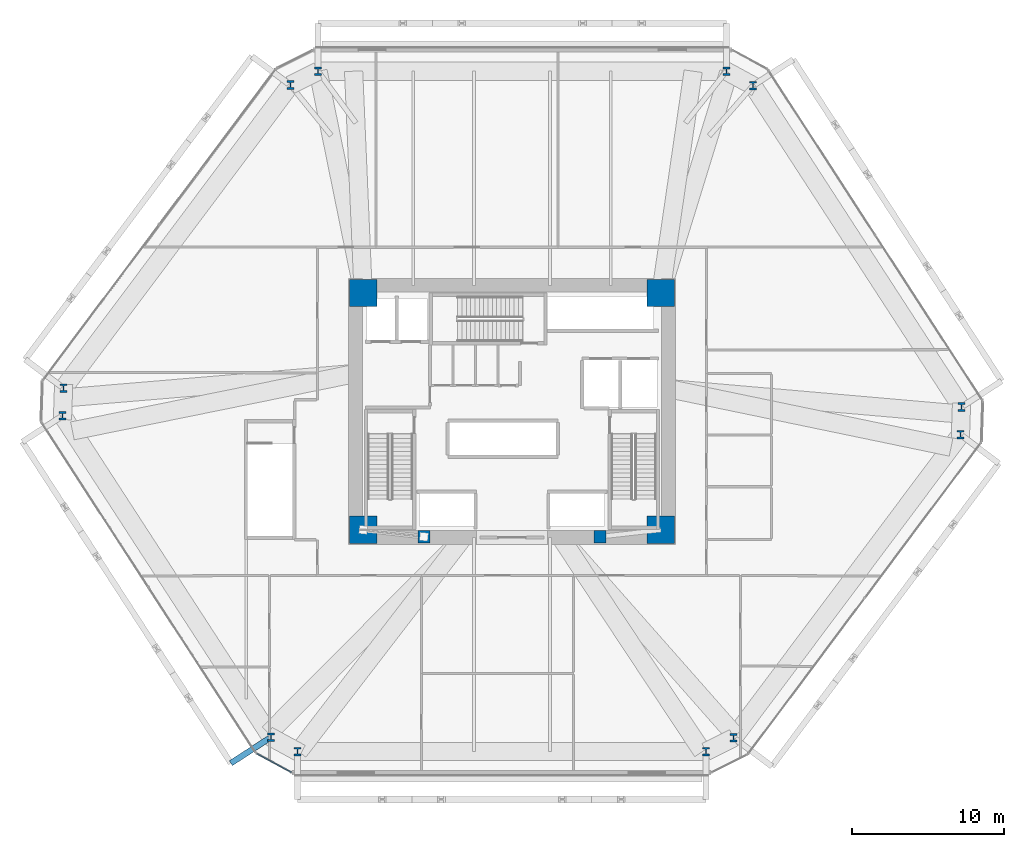
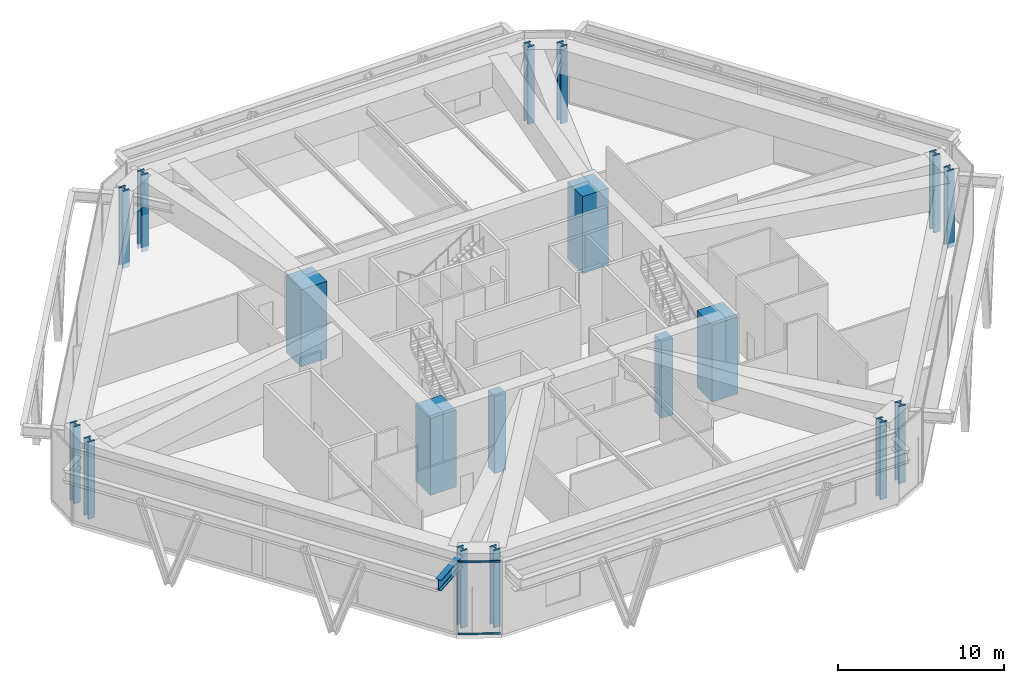
# One storey, part 1 of 19: 18 columns, 2 members, 1 beam, 1 element without a shape of its own.
"""IFC4 building model written with IfcOpenShell, lengths in metres."""

import ifcopenshell
import ifcopenshell.guid

model = None  # the IFC model being written
_history = None  # IfcOwnerHistory: only IFC2X3 demands one
_inside = {}  # id of a spatial element -> (the spatial element, [elements in it])
_under = {}  # id of a project, library or spatial element -> (it, [spatial elements below it])
_declared = {}  # id of a project -> (the project, [libraries it declares])
_typed = {}  # id of a type object -> (the type object, [elements of that type])
_made_of = {}  # id of a material, layer set ... -> (it, [elements and type objects made of it])


def new_model(schema):
    """Start an empty IFC model of exactly this schema.

    Asked for "IFC4X3", IfcOpenShell would pick the latest addendum, in which some entities
    have other attributes; the version numbers below select the first issue.
    IFC2X3 requires an IfcOwnerHistory on every rooted entity: one is made here for all.
    """
    global model, _history
    if schema == "IFC4X3":
        model = ifcopenshell.file(schema_version=(4, 3, 0, 0))
    else:
        model = ifcopenshell.file(schema=schema)
    _inside.clear()
    _under.clear()
    _declared.clear()
    _typed.clear()
    _made_of.clear()
    _history = None
    if model.schema == "IFC2X3":
        org = make("IfcOrganization", Name="unknown")
        user = make(
            "IfcPersonAndOrganization",
            ThePerson=make("IfcPerson", FamilyName="unknown"),
            TheOrganization=org,
        )
        app = make(
            "IfcApplication",
            ApplicationDeveloper=org,
            Version="unknown",
            ApplicationFullName="unknown",
            ApplicationIdentifier="unknown",
        )
        _history = make(
            "IfcOwnerHistory",
            OwningUser=user,
            OwningApplication=app,
            ChangeAction="ADDED",
            CreationDate=0,
        )
    return model


def make(cls, **values):
    """One entity of the class cls with the attributes given. An attribute that is None is left unset."""
    return model.create_entity(
        cls, **{name: value for name, value in values.items() if value is not None}
    )


def rooted(cls, **values):
    """An entity with a GlobalId (a new one), such as an element, a storey or a relation."""
    return make(cls, GlobalId=ifcopenshell.guid.new(), OwnerHistory=_history, **values)


def si_unit(unit_type, name, prefix=None):
    """IfcSIUnit, for example si_unit("LENGTHUNIT", "METRE", prefix="MILLI")."""
    return make("IfcSIUnit", UnitType=unit_type, Prefix=prefix, Name=name)


def assignment(units):
    """IfcUnitAssignment: the units of a project."""
    return None if units is None else make("IfcUnitAssignment", Units=units)


def point(xyz):
    """IfcCartesianPoint."""
    return None if xyz is None else make("IfcCartesianPoint", Coordinates=xyz)


def direction(xyz):
    """IfcDirection."""
    return None if xyz is None else make("IfcDirection", DirectionRatios=xyz)


def frame(location, z_axis=None, x_axis=None):
    """IfcAxis2Placement3D, a coordinate frame: its origin and axes. An axis left out is left unset."""
    return make(
        "IfcAxis2Placement3D",
        Location=point(location),
        Axis=direction(z_axis),
        RefDirection=direction(x_axis),
    )


def frame_2d(location, x_axis=None):
    """IfcAxis2Placement2D, a coordinate frame in the plane: its origin and x axis."""
    return make(
        "IfcAxis2Placement2D", Location=point(location), RefDirection=direction(x_axis)
    )


def origin():
    """The frame at (0, 0, 0) with its axes left unset."""
    return frame((0.0, 0.0, 0.0))


def origin_2d():
    """The frame at (0, 0) in the plane with its x axis left unset."""
    return frame_2d((0.0, 0.0))


def place(relative_to, where):
    """IfcLocalPlacement: puts the frame where relative to a parent placement (None: the world)."""
    return make(
        "IfcLocalPlacement", PlacementRelTo=relative_to, RelativePlacement=where
    )


def context(
    kind, dimensions, precision=None, world=None, true_north=None, identifier=None
):
    """IfcGeometricRepresentationContext, for example the 3D "Model" context."""
    return make(
        "IfcGeometricRepresentationContext",
        ContextIdentifier=identifier,
        ContextType=kind,
        CoordinateSpaceDimension=dimensions,
        Precision=precision,
        WorldCoordinateSystem=world,
        TrueNorth=true_north,
    )


def subcontext(parent, identifier, kind, view, scale=None):
    """IfcGeometricRepresentationSubContext, for example "Body" below "Model"."""
    return make(
        "IfcGeometricRepresentationSubContext",
        ContextIdentifier=identifier,
        ContextType=kind,
        ParentContext=parent,
        TargetScale=scale,
        TargetView=view,
    )


def project(units=None, contexts=None):
    """IfcProject with its units and contexts."""
    return rooted(
        "IfcProject",
        Name="project",
        RepresentationContexts=contexts,
        UnitsInContext=assignment(units),
    )


def spatial(cls, under=None, at=None, **own):
    """A site, building, storey or space (cls), placed at a placement, below another one or the project."""
    s = rooted(cls, ObjectPlacement=at, **own)
    if under is not None:
        _under.setdefault(under.id(), (under, []))[1].append(s)
    return s


def profile(cls, at=None, kind="AREA", **sizes):
    """A parametric profile (cls). Its sizes go by their IFC names, for example OverallWidth=200.0."""
    return make(cls, ProfileType=kind, Position=at, **sizes)


def rectangle(**sizes):
    """IfcRectangleProfileDef."""
    return profile("IfcRectangleProfileDef", **sizes)


def i_section(**sizes):
    """IfcIShapeProfileDef."""
    return profile("IfcIShapeProfileDef", **sizes)


def extrude(swept, where, along, depth):
    """IfcExtrudedAreaSolid: the profile swept, set in the frame where, extruded along a direction by depth."""
    return make(
        "IfcExtrudedAreaSolid",
        SweptArea=swept,
        Position=where,
        ExtrudedDirection=direction(along),
        Depth=depth,
    )


def shape(context_of_items, identifier, shape_type, items):
    """IfcShapeRepresentation: the items that make up one representation, for example the "Body"."""
    return make(
        "IfcShapeRepresentation",
        ContextOfItems=context_of_items,
        RepresentationIdentifier=identifier,
        RepresentationType=shape_type,
        Items=items,
    )


def source(mapping_origin, context_of_items, identifier, shape_type, items):
    """IfcRepresentationMap: a shape defined once, which mapped items show again and again."""
    return make(
        "IfcRepresentationMap",
        MappingOrigin=mapping_origin,
        MappedRepresentation=shape(context_of_items, identifier, shape_type, items),
    )


def transform(
    local_origin,
    x_axis=None,
    y_axis=None,
    z_axis=None,
    scale=None,
    scale2=None,
    scale3=None,
    uniform=True,
):
    """IfcCartesianTransformationOperator3D, or its non-uniform kind. x_axis, y_axis, z_axis: its Axis1, 2, 3."""
    if uniform:
        return make(
            "IfcCartesianTransformationOperator3D",
            Axis1=direction(x_axis),
            Axis2=direction(y_axis),
            LocalOrigin=point(local_origin),
            Scale=scale,
            Axis3=direction(z_axis),
        )
    return make(
        "IfcCartesianTransformationOperator3DnonUniform",
        Axis1=direction(x_axis),
        Axis2=direction(y_axis),
        LocalOrigin=point(local_origin),
        Scale=scale,
        Axis3=direction(z_axis),
        Scale2=scale2,
        Scale3=scale3,
    )


def mapped(mapping_source, mapping_target):
    """IfcMappedItem: shows the shape of a source again, moved by a transform."""
    return make(
        "IfcMappedItem", MappingSource=mapping_source, MappingTarget=mapping_target
    )


def material(Name=None, Category=None):
    """IfcMaterial."""
    return make("IfcMaterial", Name=Name, Category=Category)


def layer(
    of_material, thickness, ventilated=None, Name=None, Category=None, Priority=None
):
    """IfcMaterialLayer: one layer of a wall or slab, of a material (None: an air gap)."""
    return make(
        "IfcMaterialLayer",
        Material=of_material,
        LayerThickness=thickness,
        IsVentilated=ventilated,
        Name=Name,
        Category=Category,
        Priority=Priority,
    )


def layer_set(layers, Name=None):
    """IfcMaterialLayerSet."""
    return make("IfcMaterialLayerSet", MaterialLayers=layers, LayerSetName=Name)


def material_profile(
    of_material, cross_section, Name=None, Category=None, Priority=None
):
    """IfcMaterialProfile: a cross section and its material."""
    return make(
        "IfcMaterialProfile",
        Name=Name,
        Material=of_material,
        Profile=cross_section,
        Priority=Priority,
        Category=Category,
    )


def profile_set(profiles, Name=None, composite=None):
    """IfcMaterialProfileSet."""
    return make(
        "IfcMaterialProfileSet",
        Name=Name,
        MaterialProfiles=profiles,
        CompositeProfile=composite,
    )


def made_of(thing, what):
    """Note that an element or type object is made of a material, layer set ...; save() writes the relation."""
    if what is not None:
        _made_of.setdefault(what.id(), (what, []))[1].append(thing)
    return thing


def type_object(cls, material=None, **own):
    """A type object (cls), such as IfcWallType, which elements share."""
    return made_of(rooted(cls, **own), material)


def type_shapes(of_type, sources):
    """Give a type object the sources (RepresentationMaps) that its elements show as mapped items."""
    of_type.RepresentationMaps = sources


def element(
    cls,
    number,
    at=None,
    inside=None,
    cuts=None,
    type_object=None,
    material=None,
    context=None,
    identifier="Body",
    shape_type=None,
    held_by="IfcProductDefinitionShape",
    body=None,
    shapes=None,
    **own,
):
    """One element of the class cls, such as IfcWall. Its Tag is "e" and its number.

    at: its placement. inside: the storey or other place that contains it. cuts: it is an
    opening in that element (IfcRelVoidsElement). A single representation is given by context,
    identifier, shape_type and body (its items); several are given by shapes. held_by: the class
    of the entity that holds the representations. save() writes the other relations.
    """
    e = rooted(cls, Tag="e%d" % number, ObjectPlacement=at, **own)
    if body is not None:
        shapes = [shape(context, identifier, shape_type, body)]
    if shapes is not None:
        e.Representation = make(held_by, Representations=shapes)
    if inside is not None:
        _inside.setdefault(inside.id(), (inside, []))[1].append(e)
    if cuts is not None:
        rooted(
            "IfcRelVoidsElement", RelatingBuildingElement=cuts, RelatedOpeningElement=e
        )
    if type_object is not None:
        _typed.setdefault(type_object.id(), (type_object, []))[1].append(e)
    return made_of(e, material)


def aggregate(whole, parts):
    """IfcRelAggregates: a whole, such as a stair, and the parts it consists of."""
    return rooted("IfcRelAggregates", RelatingObject=whole, RelatedObjects=parts)


def save(model, path):
    """Write the relations noted so far, then the file.

    IfcRelAggregates (storeys below a building ...), IfcRelContainedInSpatialStructure (elements
    in a storey), IfcRelDefinesByType, IfcRelAssociatesMaterial and IfcRelDeclares: one each for
    every whole, place, type object, material and project.
    """
    for whole, parts in _under.values():
        aggregate(whole, parts)
    for where, things in _inside.values():
        rooted(
            "IfcRelContainedInSpatialStructure",
            RelatedElements=things,
            RelatingStructure=where,
        )
    for kind, things in _typed.values():
        rooted("IfcRelDefinesByType", RelatedObjects=things, RelatingType=kind)
    for what, things in _made_of.values():
        rooted("IfcRelAssociatesMaterial", RelatedObjects=things, RelatingMaterial=what)
    for by, libraries in _declared.values():
        rooted("IfcRelDeclares", RelatingContext=by, RelatedDefinitions=libraries)
    model.write(path)


model = new_model("IFC4")

# Units and contexts
model_context = context("Model", 3, precision=1e-05, world=origin(), true_north=direction((0.0, 1.0)))
body_context = subcontext(model_context, "Body", "Model", "MODEL_VIEW")
ifc_project = project(units=[si_unit("LENGTHUNIT", "METRE"), si_unit("AREAUNIT", "SQUARE_METRE"), si_unit("VOLUMEUNIT", "CUBIC_METRE"), si_unit("PLANEANGLEUNIT", "RADIAN"), si_unit("MASSUNIT", "GRAM", prefix="KILO")], contexts=[model_context])

# Site, building, storey
site_placement = place(None, origin())
site = spatial("IfcSite", under=ifc_project, at=site_placement, CompositionType="ELEMENT")
building_placement = place(site_placement, origin())
building = spatial("IfcBuilding", under=site, at=building_placement, Name="Durnholm Broadcast Tower", CompositionType="ELEMENT")
storey_placement = place(building_placement, frame((0.0, 0.0, 26.800048828125)))
storey = spatial("IfcBuildingStorey", under=building, at=storey_placement, Name="L05", CompositionType="ELEMENT", Elevation=26.800048828125)

# Columns
ifc_material_1 = material(Name="Concrete C70/85", Category="concrete")
ifc_material_profile_1 = material_profile(ifc_material_1, rectangle(XDim=1.800048828125, YDim=1.800048828125, at=origin_2d()), Name="RC1800X1800")
ifc_profile_set_1 = profile_set([ifc_material_profile_1], Name="Concrete C70/85")
column_type_1 = type_object("IfcColumnType", Name="COL-CC-1800", PredefinedType="COLUMN", material=ifc_profile_set_1)
shared_shape_1 = source(origin(), body_context, "Body", "SweptSolid", [
    extrude(rectangle(XDim=1.800048828125, YDim=1.800048828125, at=origin_2d()), origin(), (0.0, 0.0, 1.0), 5.679931640625),
])
type_shapes(column_type_1, [shared_shape_1])
for number, where, z_axis, x_axis, name in (
    (1, (-9.800048828125, -7.800048828125, -0.320068359375), (0.0, 0.0, 1.0), (1.0, 0.0, 0.0), "L05 core corner column 1"),
    (2, (9.800048828125, -7.800048828125, -0.320068359375), (0.0, 0.0, 1.0), (1.0, 0.0, 0.0), "L05 core corner column 2"),
    (3, (9.800048828125, 7.800048828125, -0.320068359375), (0.0, 0.0, 1.0), (1.0, 0.0, 0.0), "L05 core corner column 3"),
    (4, (-9.800048828125, 7.800048828125, -0.320068359375), (0.0, 0.0, 1.0), (1.0, 0.0, 0.0), "L05 core corner column 4"),
):
    element("IfcColumn", number, at=place(storey_placement, frame(where, z_axis=z_axis, x_axis=x_axis)), inside=storey, type_object=column_type_1, Name=name, PredefinedType="COLUMN", context=body_context, shape_type="MappedRepresentation", body=[
        mapped(shared_shape_1, transform((0.0, 0.0, 0.0), x_axis=(1.0, 0.0, 0.0), y_axis=(0.0, 1.0, 0.0), z_axis=(0.0, 0.0, 1.0), scale=1.0)),
    ])
ifc_material_profile_2 = material_profile(ifc_material_1, rectangle(XDim=0.800048828125, YDim=0.800048828125, at=origin_2d()), Name="RC800X800")
ifc_profile_set_2 = profile_set([ifc_material_profile_2], Name="Concrete C70/85")
column_type_2 = type_object("IfcColumnType", Name="COL-CP-800", PredefinedType="PILASTER", material=ifc_profile_set_2)
shared_shape_2 = source(origin(), body_context, "Body", "SweptSolid", [
    extrude(rectangle(XDim=0.800048828125, YDim=0.800048828125, at=origin_2d()), origin(), (0.0, 0.0, 1.0), 5.679931640625),
])
type_shapes(column_type_2, [shared_shape_2])
for number, where, z_axis, x_axis, name in (
    (5, (-5.800048828125, -8.25, -0.320068359375), (0.0, 0.0, 1.0), (1.0, 0.0, 0.0), "L05 core hall structural pilaster 1"),
    (6, (5.800048828125, -8.25, -0.320068359375), (0.0, 0.0, 1.0), (1.0, 0.0, 0.0), "L05 core hall structural pilaster 2"),
):
    element("IfcColumn", number, at=place(storey_placement, frame(where, z_axis=z_axis, x_axis=x_axis)), inside=storey, type_object=column_type_2, Name=name, PredefinedType="PILASTER", context=body_context, shape_type="MappedRepresentation", body=[
        mapped(shared_shape_2, transform((0.0, 0.0, 0.0), x_axis=(1.0, 0.0, 0.0), y_axis=(0.0, 1.0, 0.0), z_axis=(0.0, 0.0, 1.0), scale=1.0)),
    ])
ifc_material_2 = material(Name="Steel ASTM A913 Grade 65", Category="steel")
ifc_material_profile_3 = material_profile(ifc_material_2, i_section(OverallWidth=0.454345703125, OverallDepth=0.569091796875, WebThickness=0.077880859375, FlangeThickness=0.124755859375, FilletRadius=0.030517578125, at=origin_2d()), Name="W14X730")
ifc_profile_set_3 = profile_set([ifc_material_profile_3], Name="Steel ASTM A913 Grade 65")
column_type_3 = type_object("IfcColumnType", Name="STL-SC-W14X730", PredefinedType="COLUMN", material=ifc_profile_set_3)
shared_shape_3 = source(origin(), body_context, "Body", "SweptSolid", [
    extrude(i_section(OverallWidth=0.454345703125, OverallDepth=0.569091796875, WebThickness=0.077880859375, FlangeThickness=0.124755859375, FilletRadius=0.030517578125, at=origin_2d()), origin(), (0.0, 0.0, 1.0), 5.679931640625),
])
type_shapes(column_type_3, [shared_shape_3])
for number, where, z_axis, x_axis, name in (
    (7, (-15.866455078125, -21.45068359375, -0.320068359375), (0.0, 0.0, 1.0), (1.0, 0.0, 0.0), "L05 perimeter hexagonal tube column 01"),
    (8, (-29.590576171875, -0.28857421875, -0.320068359375), (0.0, 0.0, 1.0), (1.0, 0.0, 0.0), "L05 perimeter hexagonal tube column 02"),
    (9, (-29.529296875, 1.530517578125, -0.320068359375), (0.0, 0.0, 1.0), (1.0, 0.0, 0.0), "L05 perimeter hexagonal tube column 03"),
    (10, (-14.594482421875, 21.487548828125, -0.320068359375), (0.0, 0.0, 1.0), (1.0, 0.0, 0.0), "L05 perimeter hexagonal tube column 04"),
    (11, (-12.77197265625, 22.39990234375, -0.320068359375), (0.0, 0.0, 1.0), (1.0, 0.0, 0.0), "L05 perimeter hexagonal tube column 05"),
    (12, (14.119384765625, 22.39990234375, -0.320068359375), (0.0, 0.0, 1.0), (1.0, 0.0, 0.0), "L05 perimeter hexagonal tube column 06"),
    (13, (15.866455078125, 21.45068359375, -0.320068359375), (0.0, 0.0, 1.0), (1.0, 0.0, 0.0), "L05 perimeter hexagonal tube column 07"),
    (14, (29.590576171875, 0.28857421875, -0.320068359375), (0.0, 0.0, 1.0), (1.0, 0.0, 0.0), "L05 perimeter hexagonal tube column 08"),
    (15, (29.529296875, -1.530517578125, -0.320068359375), (0.0, 0.0, 1.0), (1.0, 0.0, 0.0), "L05 perimeter hexagonal tube column 09"),
    (16, (14.594482421875, -21.487548828125, -0.320068359375), (0.0, 0.0, 1.0), (1.0, 0.0, 0.0), "L05 perimeter hexagonal tube column 10"),
    (17, (12.77197265625, -22.39990234375, -0.320068359375), (0.0, 0.0, 1.0), (1.0, 0.0, 0.0), "L05 perimeter hexagonal tube column 11"),
    (18, (-14.119384765625, -22.39990234375, -0.320068359375), (0.0, 0.0, 1.0), (1.0, 0.0, 0.0), "L05 perimeter hexagonal tube column 12"),
):
    element("IfcColumn", number, at=place(storey_placement, frame(where, z_axis=z_axis, x_axis=x_axis)), inside=storey, type_object=column_type_3, Name=name, PredefinedType="COLUMN", context=body_context, shape_type="MappedRepresentation", body=[
        mapped(shared_shape_3, transform((0.0, 0.0, 0.0), x_axis=(1.0, 0.0, 0.0), y_axis=(0.0, 1.0, 0.0), z_axis=(0.0, 0.0, 1.0), scale=1.0)),
    ])

# Beam
ifc_material_3 = material(Name="Steel ASTM A992 Grade 50", Category="steel")
ifc_material_profile_4 = material_profile(ifc_material_3, i_section(OverallWidth=0.385009765625, OverallDepth=0.802978515625, WebThickness=0.023681640625, FlangeThickness=0.0419921875, FilletRadius=0.032958984375, at=origin_2d()), Name="W30X261")
ifc_profile_set_4 = profile_set([ifc_material_profile_4], Name="Steel ASTM A992 Grade 50")
beam_type = type_object("IfcBeamType", Name="BM-EXO-TIE", PredefinedType="USERDEFINED", material=ifc_profile_set_4)
shared_shape_4 = source(origin(), body_context, "Body", "SweptSolid", [
    extrude(i_section(OverallWidth=0.385009765625, OverallDepth=0.802978515625, WebThickness=0.023681640625, FlangeThickness=0.0419921875, FilletRadius=0.032958984375, at=origin_2d()), origin(), (0.0, 0.0, 1.0), 3.024169921875),
])
type_shapes(beam_type, [shared_shape_4])
beam_placement = place(storey_placement, frame((-15.97216796875, -21.519287109375, 4.6083984375), z_axis=(-0.839049936056, -0.544054413459, 0.0), x_axis=(0.544054413459, -0.839049936056, 0.0)))
element("IfcBeam", 19, at=beam_placement, inside=storey, type_object=beam_type, Name="L05 exoskeleton stand-off tie bracket F6.2", ObjectType="GIRDER", PredefinedType="USERDEFINED", context=body_context, shape_type="MappedRepresentation", body=[
    mapped(shared_shape_4, transform((0.0, 0.0, 0.0), x_axis=(1.0, 0.0, 0.0), y_axis=(0.0, 1.0, 0.0), z_axis=(0.0, 0.0, 1.0), scale=1.0)),
])

# Curtain wall, members
ifc_material_4 = material(Name="Aluminium and Solar Control IGU", Category="aluminium")
ifc_layer = layer(ifc_material_4, 0.1650390625)
ifc_layer_set = layer_set([ifc_layer], Name="Aluminium and Solar Control IGU")
curtain_wall_type = type_object("IfcCurtainWallType", Name="CW-SYS-5", PredefinedType="NOTDEFINED", material=ifc_layer_set)
curtain_wall_placement = place(storey_placement, origin())
curtain_wall = element("IfcCurtainWall", 20, at=curtain_wall_placement, inside=storey, type_object=curtain_wall_type, Name="L05 curtain wall CW-CORNER CW-L05-CRN-11", PredefinedType="NOTDEFINED")
ifc_material_5 = material(Name="Aluminium 6063-T6", Category="aluminium")
ifc_material_profile_5 = material_profile(ifc_material_5, rectangle(XDim=0.06494140625, YDim=0.1298828125, at=origin_2d()), Name="CWT65X130")
ifc_profile_set_5 = profile_set([ifc_material_profile_5], Name="Aluminium 6063-T6")
member_type = type_object("IfcMemberType", Name="CW-SYS-5-TRN", PredefinedType="USERDEFINED", material=ifc_profile_set_5)
shared_shape_5 = source(origin(), body_context, "Body", "SweptSolid", [
    extrude(rectangle(XDim=0.06494140625, YDim=0.1298828125, at=origin_2d()), origin(), (0.0, 0.0, 1.0), 2.56982421875),
])
type_shapes(member_type, [shared_shape_5])
member_1_placement = place(storey_placement, frame((-14.5322265625, -23.76904296875, 0.032470703125), z_axis=(-0.878649635893, 0.47746708509, 0.0), x_axis=(-0.47746708509, -0.878649635893, 0.0)))
member_1 = element("IfcMember", 21, at=member_1_placement, type_object=member_type, Name="CW-CORNER transom 1.1", ObjectType="TRANSOM", PredefinedType="USERDEFINED", context=body_context, shape_type="MappedRepresentation", body=[
    mapped(shared_shape_5, transform((0.0, 0.0, 0.0), x_axis=(1.0, 0.0, 0.0), y_axis=(0.0, 1.0, 0.0), z_axis=(0.0, 0.0, 1.0), scale=1.0)),
])
member_2_placement = place(storey_placement, frame((-14.5322265625, -23.76904296875, 5.327392578125), z_axis=(-0.878649635893, 0.47746708509, 0.0), x_axis=(-0.47746708509, -0.878649635893, 0.0)))
member_2 = element("IfcMember", 22, at=member_2_placement, type_object=member_type, Name="CW-CORNER transom 1.2", ObjectType="TRANSOM", PredefinedType="USERDEFINED", context=body_context, shape_type="MappedRepresentation", body=[
    mapped(shared_shape_5, transform((0.0, 0.0, 0.0), x_axis=(1.0, 0.0, 0.0), y_axis=(0.0, 1.0, 0.0), z_axis=(0.0, 0.0, 1.0), scale=1.0)),
])
aggregate(curtain_wall, [member_1, member_2])

save(model, "model.ifc")
